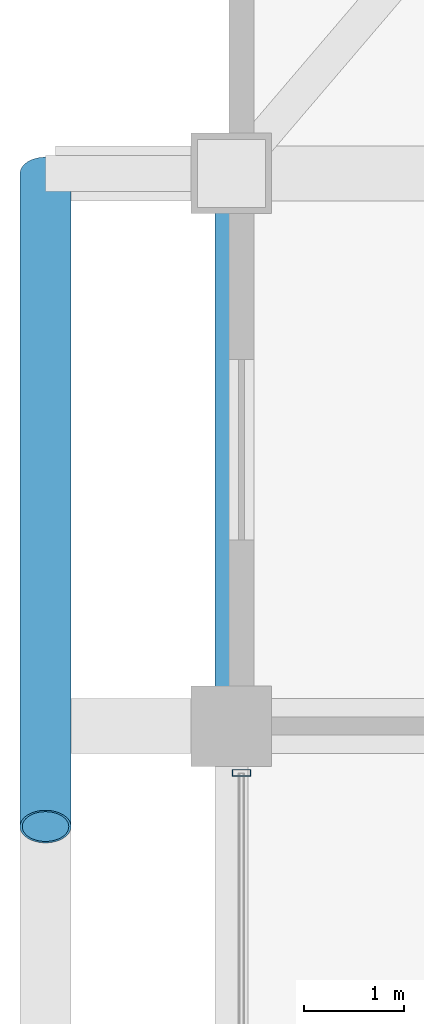
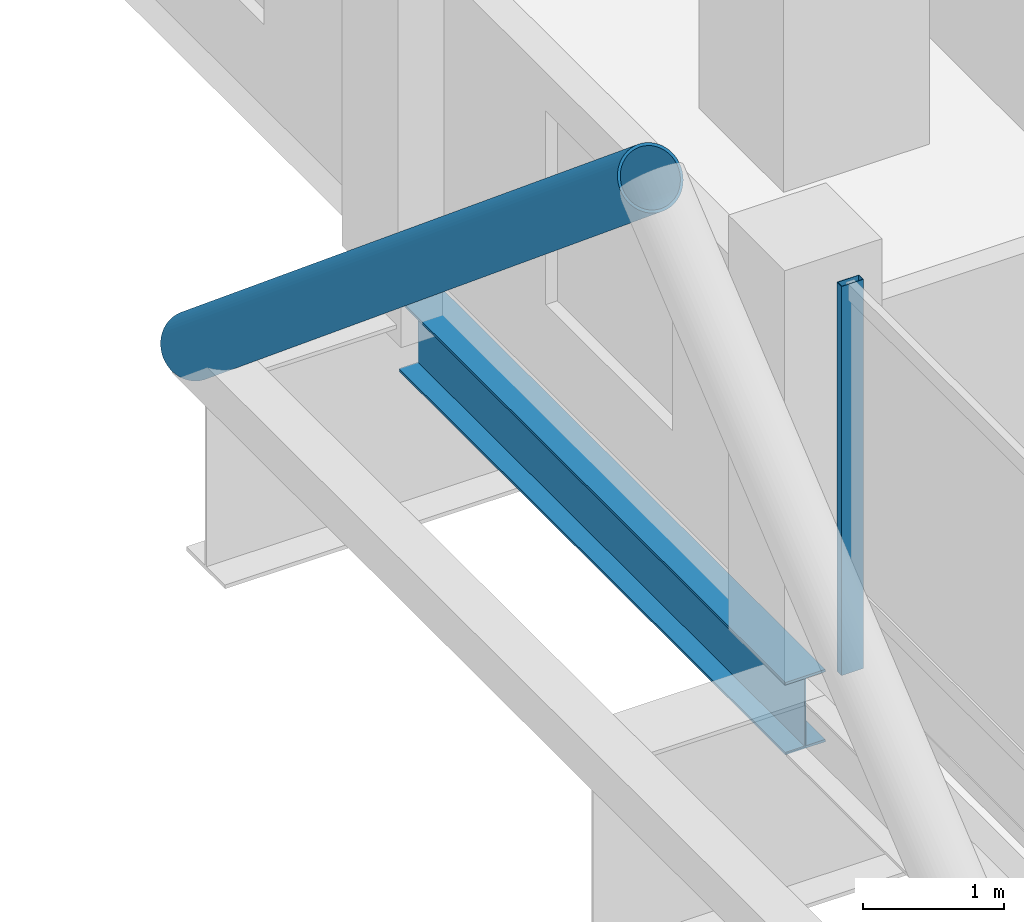
# One storey, part 10 of 21: 2 members, 1 beam, 1 element without a shape of its own.
"""IFC4 building model written with IfcOpenShell, lengths in metres."""

from ifc_helpers import new_model, si_unit, direction, frame, origin, origin_2d, place, context, subcontext, project, spatial, hollow_rectangle, hollow_circle, i_section, extrude, material, layer, layer_set, material_profile, profile_set, type_object, element, aggregate, save


model = new_model("IFC4")

# Units and contexts
model_context = context("Model", 3, precision=1e-05, world=origin(), true_north=direction((0.0, 1.0)))
body_context = subcontext(model_context, "Body", "Model", "MODEL_VIEW")
ifc_project = project(units=[si_unit("LENGTHUNIT", "METRE"), si_unit("AREAUNIT", "SQUARE_METRE"), si_unit("VOLUMEUNIT", "CUBIC_METRE"), si_unit("PLANEANGLEUNIT", "RADIAN"), si_unit("MASSUNIT", "GRAM", prefix="KILO")], contexts=[model_context])

# Site, building, storey
site_placement = place(None, origin())
site = spatial("IfcSite", under=ifc_project, at=site_placement, CompositionType="ELEMENT")
building_placement = place(site_placement, origin())
building = spatial("IfcBuilding", under=site, at=building_placement, Name="Barlavira Tower and Art Museum", CompositionType="ELEMENT")
storey_placement = place(building_placement, frame((0.0, 0.0, 99.0)))
storey = spatial("IfcBuildingStorey", under=building, at=storey_placement, Name="L24", CompositionType="ELEMENT", Elevation=99.0)

# Curtain wall, member
ifc_material_1 = material(Name="Low-iron coastal laminated glass", Category="glass")
ifc_layer = layer(ifc_material_1, 0.18994140625, Name="Low-iron coastal laminated glass")
ifc_layer_set = layer_set([ifc_layer], Name="Low-iron coastal laminated glass")
curtain_wall_type = type_object("IfcCurtainWallType", Name="Pale-Metal Unitised Curtain Wall Zone 2", PredefinedType="NOTDEFINED", material=ifc_layer_set)
curtain_wall_placement = place(storey_placement, origin())
curtain_wall = element("IfcCurtainWall", 1, at=curtain_wall_placement, inside=storey, type_object=curtain_wall_type, Name="L24 Curtain Wall CW2-L24-W-B3", PredefinedType="NOTDEFINED")
ifc_material_2 = material(Name="Pale anodised aluminium", Category="aluminium")
ifc_material_profile_1 = material_profile(ifc_material_2, hollow_rectangle(XDim=0.06494140625, YDim=0.179931640625, WallThickness=0.00390625, at=origin_2d()), Name="ALU-MULL 65x180x4")
ifc_profile_set_1 = profile_set([ifc_material_profile_1], Name="Pale anodised aluminium")
member_type_1 = type_object("IfcMemberType", Name="Curtain Wall Pale-Metal Mullion 65x180", PredefinedType="MULLION", material=ifc_profile_set_1)
member_1_placement = place(storey_placement, frame((-20.14990234375, 7.034912109375, 0.0), z_axis=(0.0, 0.0, 1.0), x_axis=(0.0, -1.0, 0.0)))
member_1 = element("IfcMember", 2, at=member_1_placement, type_object=member_type_1, Name="CW2-L24-W-B3 Mullion 0", PredefinedType="MULLION", context=body_context, shape_type="SweptSolid", body=[
    extrude(hollow_rectangle(XDim=0.06494140625, YDim=0.179931640625, WallThickness=0.00390625, at=origin_2d()), origin(), (0.0, 0.0, 1.0), 3.3798828125),
])
aggregate(curtain_wall, [member_1])

# Member
ifc_material_3 = material(Name="Steel S355", Category="steel")
ifc_material_profile_2 = material_profile(ifc_material_3, hollow_circle(Radius=0.25390625, WallThickness=0.022216796875, at=origin_2d()), Name="CHS 508.0x22.2")
ifc_profile_set_2 = profile_set([ifc_material_profile_2], Name="Steel S355")
member_type_2 = type_object("IfcMemberType", Name="Pale-Metal Exoskeleton Diagrid Tube CHS 508x22 Steel S355", PredefinedType="BRACE", material=ifc_profile_set_2)
member_2_placement = place(storey_placement, frame((-22.10009765625, 13.0, -0.1201171875), z_axis=(0.0, -0.76918185268, 0.639029950399), x_axis=(1.0, 0.0, 0.0)))
element("IfcMember", 3, at=member_2_placement, inside=storey, type_object=member_type_2, Name="L24 Exoskeleton Diagrid Tube W", PredefinedType="BRACE", context=body_context, shape_type="SweptSolid", body=[
    extrude(hollow_circle(Radius=0.25390625, WallThickness=0.022216796875, at=origin_2d()), origin(), (0.0, 0.0, 1.0), 8.450439453125),
])

# Beam
ifc_material_profile_3 = material_profile(ifc_material_3, i_section(OverallWidth=0.327880859375, OverallDepth=0.62890625, WebThickness=0.013916015625, FlangeThickness=0.021484375, at=origin_2d()), Name="W610x174.0")
ifc_profile_set_3 = profile_set([ifc_material_profile_3], Name="Steel S355")
beam_type = type_object("IfcBeamType", Name="Perimeter Spandrel Edge Beam W610x174 Steel S355", PredefinedType="SPANDREL", material=ifc_profile_set_3)
beam_placement = place(storey_placement, frame((-20.25, 7.5, -0.614501953125), z_axis=(0.0, 1.0, 0.0), x_axis=(-1.0, 0.0, 0.0)))
element("IfcBeam", 4, at=beam_placement, inside=storey, type_object=beam_type, Name="L24 Spandrel 13", PredefinedType="SPANDREL", context=body_context, shape_type="SweptSolid", body=[
    extrude(i_section(OverallWidth=0.327880859375, OverallDepth=0.62890625, WebThickness=0.013916015625, FlangeThickness=0.021484375, at=origin_2d()), origin(), (0.0, 0.0, 1.0), 5.5),
])

save(model, "model.ifc")
